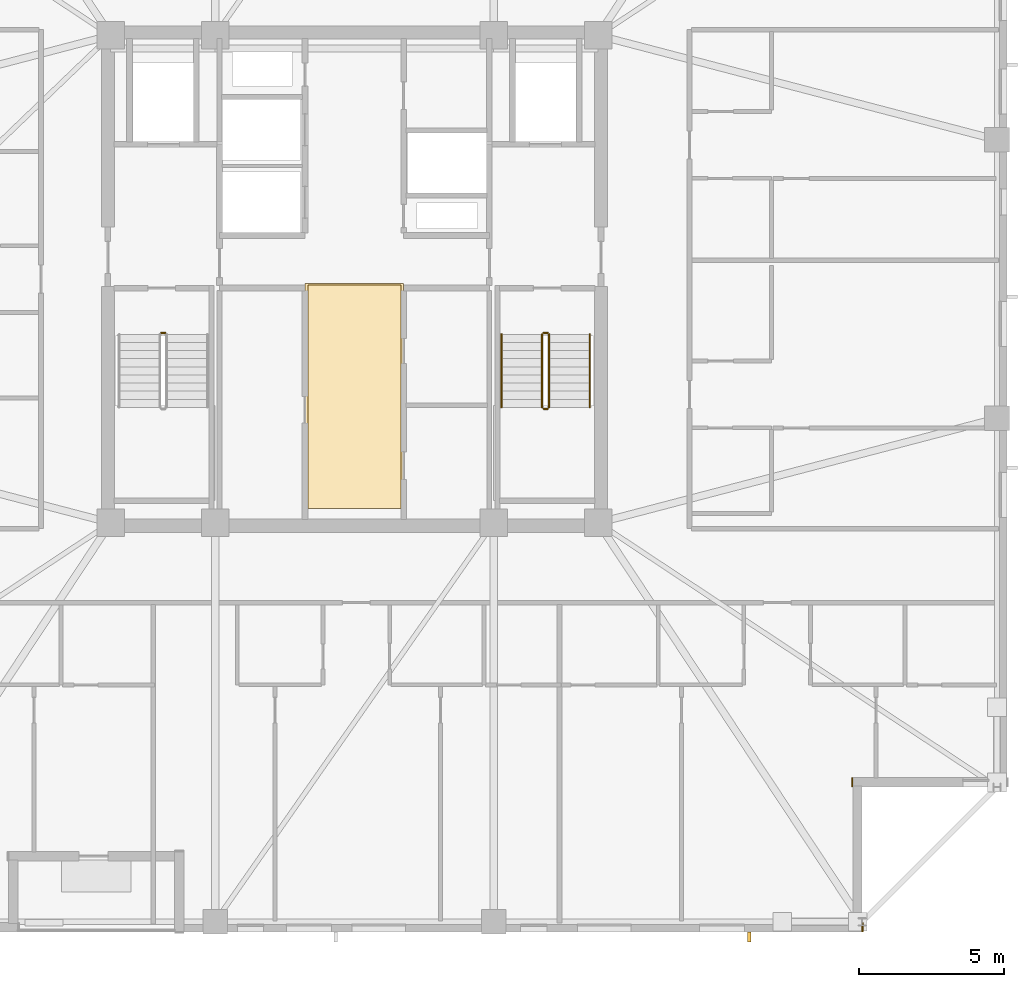
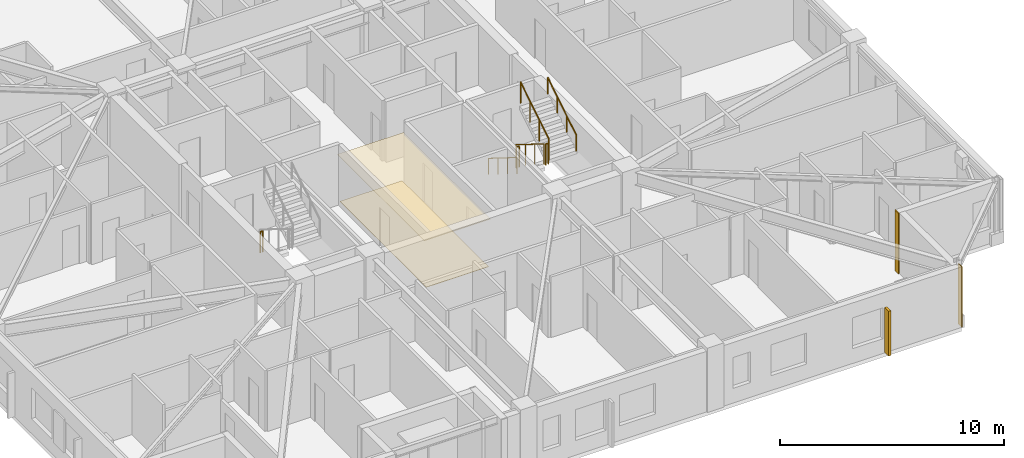
# One storey, part 14 of 17: 7 railings, 4 coverings, 1 shading device.
"""IFC4 building model written with IfcOpenShell, lengths in metres."""

from ifc_helpers import new_model, si_unit, direction, frame, frame_2d, origin, origin_2d, place, context, subcontext, project, spatial, polyline, rectangle, circle, outline, extrude, material, layer, layer_set, type_object, element, save


model = new_model("IFC4")

# Units and contexts
model_context = context("Model", 3, precision=1e-05, world=origin(), true_north=direction((0.0, 1.0)))
body_context = subcontext(model_context, "Body", "Model", "MODEL_VIEW")
ifc_project = project(units=[si_unit("LENGTHUNIT", "METRE"), si_unit("AREAUNIT", "SQUARE_METRE"), si_unit("VOLUMEUNIT", "CUBIC_METRE"), si_unit("PLANEANGLEUNIT", "RADIAN"), si_unit("MASSUNIT", "GRAM", prefix="KILO")], contexts=[model_context])

# Site, building, storey
site_placement = place(None, origin())
site = spatial("IfcSite", under=ifc_project, at=site_placement, CompositionType="ELEMENT")
building_placement = place(site_placement, origin())
building = spatial("IfcBuilding", under=site, at=building_placement, Name="Cairnveth Concourse Tower", CompositionType="ELEMENT")
storey_placement = place(building_placement, frame((0.0, 0.0, 262.0)))
storey = spatial("IfcBuildingStorey", under=building, at=storey_placement, Name="L72", CompositionType="ELEMENT", Elevation=262.0)

# Coverings
ifc_material_1 = material(Name="Acoustic Mineral Fibre Ceiling", Category="gypsum")
ifc_layer_1 = layer(ifc_material_1, 0.02490234375)
ifc_layer_set_1 = layer_set([ifc_layer_1], Name="Acoustic Mineral Fibre Ceiling")
covering_type_1 = type_object("IfcCoveringType", Name="ACOUSTIC MINERAL FIBRE CEILING 25", PredefinedType="CEILING", material=ifc_layer_set_1)
covering_1_placement = place(storey_placement, frame((0.0, 0.0, 2.55810546875)))
element("IfcCovering", 1, at=covering_1_placement, inside=storey, type_object=covering_type_1, Name="Lift Lobby Acoustic Ceiling L72", PredefinedType="CEILING", context=body_context, shape_type="SweptSolid", body=[
    extrude(outline(polyline([(50.300048828125, 31.10009765625), (53.699951171875, 31.10009765625), (53.699951171875, 38.85009765625), (50.300048828125, 38.85009765625), (50.300048828125, 31.10009765625)])), origin(), (0.0, 0.0, 1.0), 0.02490234375),
])
ifc_material_2 = material(Name="Dressed Melbourne Bluestone Cladding", Category="masonry")
ifc_layer_2 = layer(ifc_material_2, 0.050048828125)
ifc_layer_set_2 = layer_set([ifc_layer_2], Name="Dressed Melbourne Bluestone Cladding")
covering_type_2 = type_object("IfcCoveringType", Name="DRESSED BLUESTONE PLINTH CLADDING 50", PredefinedType="CLADDING", material=ifc_layer_set_2)
for number, where, z_axis, x_axis, name in (
    (2, (69.159912109375, 21.820068359375, 0.0), (0.0, 0.0, 1.0), (0.0, -1.0, 0.0), "Melbourne Bluestone Corner Quoin L72-1098"),
    (3, (69.52001953125, 16.820068359375, 0.0), (0.0, 0.0, 1.0), (0.0, -1.0, 0.0), "Melbourne Bluestone Corner Quoin L72-1099"),
):
    element("IfcCovering", number, at=place(storey_placement, frame(where, z_axis=z_axis, x_axis=x_axis)), inside=storey, type_object=covering_type_2, Name=name, PredefinedType="CLADDING", context=body_context, shape_type="SweptSolid", body=[
        extrude(rectangle(XDim=0.320068359375, YDim=0.050048828125, at=frame_2d((0.16015625, 0.0))), origin(), (0.0, 0.0, 1.0), 3.2900390625),
    ])

# Shading device
ifc_material_3 = material(Name="Architectural Bronze Anodised Aluminium 6063-T6", Category="aluminium")
shading_device_type = type_object("IfcShadingDeviceType", Name="GOTHIC BRONZE VERTICAL LANCET FIN", PredefinedType="USERDEFINED", material=ifc_material_3)
shading_device_placement = place(storey_placement, frame((65.604736328125, 16.324951171875, 0.030029296875), z_axis=(0.0, 0.0, 1.0), x_axis=(1.0, 0.0, 0.0)))
element("IfcShadingDevice", 4, at=shading_device_placement, inside=storey, type_object=shading_device_type, Name="Gothic Bronze Vertical Fin L72-12-1", ObjectType="VERTICAL FIN", PredefinedType="USERDEFINED", context=body_context, shape_type="SweptSolid", body=[
    extrude(rectangle(XDim=0.1201171875, YDim=0.360107421875, at=origin_2d()), origin(), (0.0, 0.0, 1.0), 2.43798828125),
])

# Railings
ifc_material_4 = material(Name="Steel Grade 350", Category="steel")
railing_type_1 = type_object("IfcRailingType", Name="STAIR GUARDRAIL 1150", PredefinedType="GUARDRAIL", material=ifc_material_4)
railing_1_placement = place(storey_placement, frame((45.340087890625, 37.14990234375, 0.0)))
element("IfcRailing", 5, at=railing_1_placement, inside=storey, type_object=railing_type_1, Name="L72 ST-1 stair guard 4", PredefinedType="GUARDRAIL", context=body_context, shape_type="SweptSolid", body=[
    extrude(circle(Radius=0.02392578125, at=origin_2d()), frame((0.0, 0.0, 1.1259765625), z_axis=(1.0, 0.0, 0.0), x_axis=(0.0, 1.0, 0.0)), (0.0, 0.0, 1.0), 0.139892578125),
    extrude(circle(Radius=0.02099609375, at=origin_2d()), origin(), (0.0, 0.0, 1.0), 1.101806640625),
    extrude(circle(Radius=0.02099609375, at=origin_2d()), frame((0.139892578125, 0.0, 0.0)), (0.0, 0.0, 1.0), 1.101806640625),
])
railing_2_placement = place(storey_placement, frame((58.469970703125, 37.10009765625, 0.175048828125)))
element("IfcRailing", 6, at=railing_2_placement, inside=storey, type_object=railing_type_1, Name="L72 ST-2 stair guard 1", PredefinedType="GUARDRAIL", context=body_context, shape_type="SweptSolid", body=[
    extrude(circle(Radius=0.02392578125, at=origin_2d()), frame((0.0, 0.0, 1.1259765625), z_axis=(0.0, -0.848007534815, 0.529984170421), x_axis=(1.0, 0.0, 0.0)), (0.0, 0.0, 1.0), 2.9716796875),
    extrude(circle(Radius=0.02099609375, at=origin_2d()), origin(), (0.0, 0.0, 1.0), 1.101806640625),
    extrude(circle(Radius=0.02099609375, at=origin_2d()), frame((0.0, -0.840087890625, 0.52490234375)), (0.0, 0.0, 1.0), 1.101806640625),
    extrude(circle(Radius=0.02099609375, at=origin_2d()), frame((0.0, -1.679931640625, 1.050048828125)), (0.0, 0.0, 1.0), 1.101806640625),
    extrude(circle(Radius=0.02099609375, at=origin_2d()), frame((0.0, -2.52001953125, 1.574951171875)), (0.0, 0.0, 1.0), 1.101806640625),
])
railing_3_placement = place(storey_placement, frame((58.52001953125, 34.530029296875, 1.75)))
element("IfcRailing", 7, at=railing_3_placement, inside=storey, type_object=railing_type_1, Name="L72 ST-2 stair guard 2", PredefinedType="GUARDRAIL", context=body_context, shape_type="SweptSolid", body=[
    extrude(circle(Radius=0.02392578125, at=origin_2d()), frame((0.0, 0.0, 1.1259765625), z_axis=(1.0, 0.0, 0.0), x_axis=(0.0, 1.0, 0.0)), (0.0, 0.0, 1.0), 0.139892578125),
    extrude(circle(Radius=0.02099609375, at=origin_2d()), origin(), (0.0, 0.0, 1.0), 1.101806640625),
    extrude(circle(Radius=0.02099609375, at=origin_2d()), frame((0.139892578125, 0.0, 0.0)), (0.0, 0.0, 1.0), 1.101806640625),
])
railing_4_placement = place(storey_placement, frame((58.7099609375, 34.580078125, 1.925048828125)))
element("IfcRailing", 8, at=railing_4_placement, inside=storey, type_object=railing_type_1, Name="L72 ST-2 stair guard 3", PredefinedType="GUARDRAIL", context=body_context, shape_type="SweptSolid", body=[
    extrude(circle(Radius=0.02392578125, at=origin_2d()), frame((0.0, 0.0, 1.1259765625), z_axis=(0.0, 0.848007534815, 0.529984170421), x_axis=(-1.0, 0.0, 0.0)), (0.0, 0.0, 1.0), 2.9716796875),
    extrude(circle(Radius=0.02099609375, at=origin_2d()), origin(), (0.0, 0.0, 1.0), 1.101806640625),
    extrude(circle(Radius=0.02099609375, at=origin_2d()), frame((0.0, 0.840087890625, 0.52490234375)), (0.0, 0.0, 1.0), 1.101806640625),
    extrude(circle(Radius=0.02099609375, at=origin_2d()), frame((0.0, 1.679931640625, 1.050048828125)), (0.0, 0.0, 1.0), 1.101806640625),
    extrude(circle(Radius=0.02099609375, at=origin_2d()), frame((0.0, 2.52001953125, 1.574951171875)), (0.0, 0.0, 1.0), 1.101806640625),
])
railing_5_placement = place(storey_placement, frame((58.52001953125, 37.14990234375, 0.0)))
element("IfcRailing", 9, at=railing_5_placement, inside=storey, type_object=railing_type_1, Name="L72 ST-2 stair guard 4", PredefinedType="GUARDRAIL", context=body_context, shape_type="SweptSolid", body=[
    extrude(circle(Radius=0.02392578125, at=origin_2d()), frame((0.0, 0.0, 1.1259765625), z_axis=(1.0, 0.0, 0.0), x_axis=(0.0, 1.0, 0.0)), (0.0, 0.0, 1.0), 0.139892578125),
    extrude(circle(Radius=0.02099609375, at=origin_2d()), origin(), (0.0, 0.0, 1.0), 1.101806640625),
    extrude(circle(Radius=0.02099609375, at=origin_2d()), frame((0.139892578125, 0.0, 0.0)), (0.0, 0.0, 1.0), 1.101806640625),
])
railing_type_2 = type_object("IfcRailingType", Name="STAIR WALL HANDRAIL 900", PredefinedType="HANDRAIL", material=ifc_material_4)
railing_6_placement = place(storey_placement, frame((57.070068359375, 37.10009765625, 0.175048828125)))
element("IfcRailing", 10, at=railing_6_placement, inside=storey, type_object=railing_type_2, Name="L72 ST-2 stair handrail 1", PredefinedType="HANDRAIL", context=body_context, shape_type="SweptSolid", body=[
    extrude(circle(Radius=0.02392578125, at=origin_2d()), frame((0.0, 0.0, 0.8759765625), z_axis=(0.0, -0.848007534815, 0.529984170421), x_axis=(1.0, 0.0, 0.0)), (0.0, 0.0, 1.0), 2.9716796875),
    extrude(circle(Radius=0.02099609375, at=origin_2d()), origin(), (0.0, 0.0, 1.0), 0.851806640625),
    extrude(circle(Radius=0.02099609375, at=origin_2d()), frame((0.0, -0.840087890625, 0.52490234375)), (0.0, 0.0, 1.0), 0.851806640625),
    extrude(circle(Radius=0.02099609375, at=origin_2d()), frame((0.0, -1.679931640625, 1.050048828125)), (0.0, 0.0, 1.0), 0.851806640625),
    extrude(circle(Radius=0.02099609375, at=origin_2d()), frame((0.0, -2.52001953125, 1.574951171875)), (0.0, 0.0, 1.0), 0.851806640625),
])
railing_7_placement = place(storey_placement, frame((60.110107421875, 34.580078125, 1.925048828125)))
element("IfcRailing", 11, at=railing_7_placement, inside=storey, type_object=railing_type_2, Name="L72 ST-2 stair handrail 2", PredefinedType="HANDRAIL", context=body_context, shape_type="SweptSolid", body=[
    extrude(circle(Radius=0.02392578125, at=origin_2d()), frame((0.0, 0.0, 0.8759765625), z_axis=(0.0, 0.848007534815, 0.529984170421), x_axis=(-1.0, 0.0, 0.0)), (0.0, 0.0, 1.0), 2.9716796875),
    extrude(circle(Radius=0.02099609375, at=origin_2d()), origin(), (0.0, 0.0, 1.0), 0.851806640625),
    extrude(circle(Radius=0.02099609375, at=origin_2d()), frame((0.0, 0.840087890625, 0.52490234375)), (0.0, 0.0, 1.0), 0.851806640625),
    extrude(circle(Radius=0.02099609375, at=origin_2d()), frame((0.0, 1.679931640625, 1.050048828125)), (0.0, 0.0, 1.0), 0.851806640625),
    extrude(circle(Radius=0.02099609375, at=origin_2d()), frame((0.0, 2.52001953125, 1.574951171875)), (0.0, 0.0, 1.0), 0.851806640625),
])

# Covering
ifc_material_5 = material(Name="Vitrified Stoneware Tile Flooring", Category="masonry")
ifc_layer_3 = layer(ifc_material_5, 0.02001953125)
ifc_layer_set_3 = layer_set([ifc_layer_3], Name="Vitrified Stoneware Tile Flooring")
covering_type_3 = type_object("IfcCoveringType", Name="VITRIFIED STONEWARE LOBBY FLOORING 20", PredefinedType="FLOORING", material=ifc_layer_set_3)
covering_2_placement = place(storey_placement, origin())
element("IfcCovering", 12, at=covering_2_placement, inside=storey, type_object=covering_type_3, Name="Lift Lobby Stoneware Flooring L72", PredefinedType="FLOORING", context=body_context, shape_type="SweptSolid", body=[
    extrude(outline(polyline([(50.39990234375, 31.10009765625), (53.60009765625, 31.10009765625), (53.60009765625, 38.800048828125), (50.39990234375, 38.800048828125), (50.39990234375, 31.10009765625)])), origin(), (0.0, 0.0, 1.0), 0.02001953125),
])

save(model, "model.ifc")
